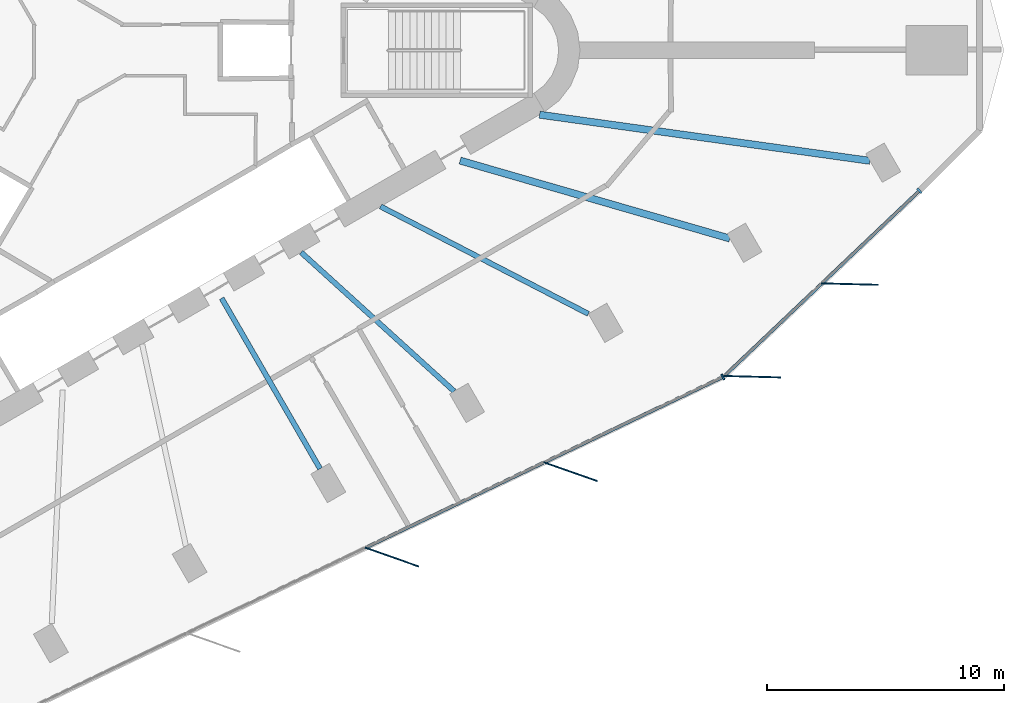
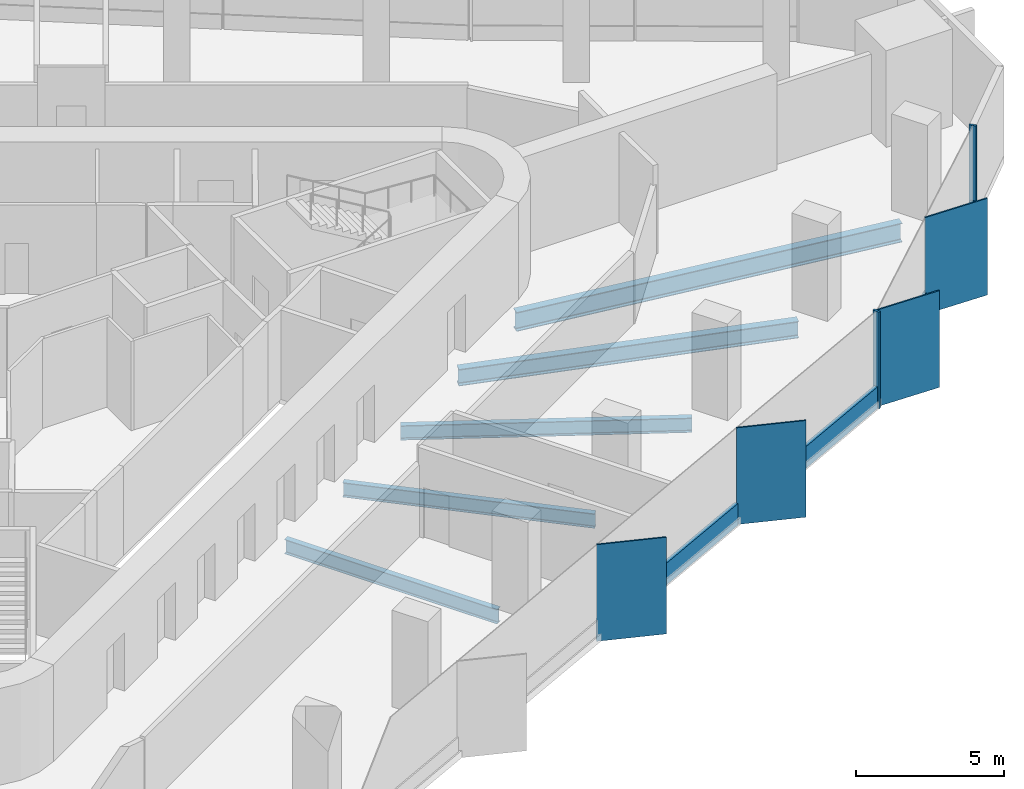
# One storey, part 3 of 13: 10 members, 5 beams, 2 elements without a shape of their own.
"""IFC4 building model written with IfcOpenShell, lengths in metres."""

from ifc_helpers import new_model, si_unit, direction, frame, origin, origin_2d, place, context, subcontext, project, spatial, rectangle, i_section, extrude, material, material_profile, profile_set, type_object, element, aggregate, save


model = new_model("IFC4")

# Units and contexts
model_context = context("Model", 3, precision=1e-05, world=origin(), true_north=direction((0.0, 1.0)))
body_context = subcontext(model_context, "Body", "Model", "MODEL_VIEW")
ifc_project = project(units=[si_unit("LENGTHUNIT", "METRE"), si_unit("AREAUNIT", "SQUARE_METRE"), si_unit("VOLUMEUNIT", "CUBIC_METRE"), si_unit("PLANEANGLEUNIT", "RADIAN"), si_unit("MASSUNIT", "GRAM", prefix="KILO")], contexts=[model_context])

# Site, building, storey
site_placement = place(None, origin())
site = spatial("IfcSite", under=ifc_project, at=site_placement, CompositionType="ELEMENT")
building_placement = place(site_placement, origin())
building = spatial("IfcBuilding", under=site, at=building_placement, Name="Tanit Gate Tower", CompositionType="ELEMENT")
storey_placement = place(building_placement, frame((0.0, 0.0, 269.199951171875)))
storey = spatial("IfcBuildingStorey", under=building, at=storey_placement, Name="L61", CompositionType="ELEMENT", Elevation=269.199951171875)

# Curtain wall, members
ifc_material_1 = material(Name="Aluminium bronze anodised and glass", Category="aluminium")
curtain_wall_type = type_object("IfcCurtainWallType", Name="Curtain wall typical mid", PredefinedType="NOTDEFINED", material=ifc_material_1)
curtain_wall_1_placement = place(storey_placement, origin())
curtain_wall_1 = element("IfcCurtainWall", 1, at=curtain_wall_1_placement, inside=storey, type_object=curtain_wall_type, Name="Curtain wall L61 SE2", PredefinedType="NOTDEFINED")
ifc_material_2 = material(Name="Aluminium bronze anodised", Category="aluminium")
ifc_material_profile_1 = material_profile(ifc_material_2, rectangle(XDim=2.39990234375, YDim=0.055908203125, at=origin_2d()), Name="56x2400 bronze fin mullion")
ifc_profile_set_1 = profile_set([ifc_material_profile_1], Name="Aluminium bronze anodised")
member_type_1 = type_object("IfcMemberType", Name="FIN MULLION 56x2400 bronze", PredefinedType="MULLION", material=ifc_profile_set_1)
member_1_placement = place(storey_placement, frame((13.24755859375, -21.417236328125, -0.300048828125), z_axis=(0.0, 0.0, 1.0), x_axis=(-0.94289500242, 0.333090099539, 0.0)))
member_1 = element("IfcMember", 2, at=member_1_placement, type_object=member_type_1, Name="Fin mullion L61 SE2.3", PredefinedType="MULLION", context=body_context, shape_type="SweptSolid", body=[
    extrude(rectangle(XDim=2.39990234375, YDim=0.055908203125, at=origin_2d()), origin(), (0.0, 0.0, 1.0), 4.0),
])
member_2_placement = place(storey_placement, frame((20.796630859375, -17.8095703125, -0.300048828125), z_axis=(0.0, 0.0, 1.0), x_axis=(-0.94289500242, 0.333090099539, 0.0)))
member_2 = element("IfcMember", 3, at=member_2_placement, type_object=member_type_1, Name="Fin mullion L61 SE2.4", PredefinedType="MULLION", context=body_context, shape_type="SweptSolid", body=[
    extrude(rectangle(XDim=2.39990234375, YDim=0.055908203125, at=origin_2d()), origin(), (0.0, 0.0, 1.0), 4.0),
])

curtain_wall_2_placement = place(storey_placement, origin())
curtain_wall_2 = element("IfcCurtainWall", 4, at=curtain_wall_2_placement, inside=storey, type_object=curtain_wall_type, Name="Curtain wall L61 SE3", PredefinedType="NOTDEFINED")
member_3_placement = place(storey_placement, frame((28.4775390625, -13.795166015625, -0.300048828125), z_axis=(0.0, 0.0, 1.0), x_axis=(-0.999659926403, 0.026077414423, 0.0)))
member_3 = element("IfcMember", 5, at=member_3_placement, type_object=member_type_1, Name="Fin mullion L61 SE3.1", PredefinedType="MULLION", context=body_context, shape_type="SweptSolid", body=[
    extrude(rectangle(XDim=2.39990234375, YDim=0.055908203125, at=origin_2d()), origin(), (0.0, 0.0, 1.0), 4.0),
])
member_4_placement = place(storey_placement, frame((32.60107421875, -9.88134765625, -0.300048828125), z_axis=(0.0, 0.0, 1.0), x_axis=(-0.999659926403, 0.026077414423, 0.0)))
member_4 = element("IfcMember", 6, at=member_4_placement, type_object=member_type_1, Name="Fin mullion L61 SE3.2", PredefinedType="MULLION", context=body_context, shape_type="SweptSolid", body=[
    extrude(rectangle(XDim=2.39990234375, YDim=0.055908203125, at=origin_2d()), origin(), (0.0, 0.0, 1.0), 4.0),
])

# Member
ifc_material_3 = material(Name="Aluminium bronze anodised", Category="aluminium")
ifc_material_profile_2 = material_profile(ifc_material_3, rectangle(XDim=0.260009765625, YDim=0.080078125, at=origin_2d()), Name="80x260 bronze mullion")
ifc_profile_set_2 = profile_set([ifc_material_profile_2], Name="Aluminium bronze anodised")
member_type_2 = type_object("IfcMemberType", Name="Mullion 80x260 typical mid", PredefinedType="MULLION", material=ifc_profile_set_2)
member_5_placement = place(storey_placement, frame((27.234130859375, -13.80908203125, -0.300048828125), z_axis=(0.0, 0.0, 1.0), x_axis=(-0.431197182029, 0.902257718288, 0.0)))
member_5 = element("IfcMember", 7, at=member_5_placement, type_object=member_type_2, Name="Mullion L61 SE2.5", PredefinedType="MULLION", context=body_context, shape_type="SweptSolid", body=[
    extrude(rectangle(XDim=0.260009765625, YDim=0.080078125, at=origin_2d()), origin(), (0.0, 0.0, 1.0), 4.0),
])

member_6_placement = place(storey_placement, frame((35.546142578125, -5.936767578125, -0.300048828125), z_axis=(0.0, 0.0, 1.0), x_axis=(-0.688426796266, 0.725305829415, 0.0)))
member_6 = element("IfcMember", 8, at=member_6_placement, type_object=member_type_2, Name="Mullion L61 SE3.3", PredefinedType="MULLION", context=body_context, shape_type="SweptSolid", body=[
    extrude(rectangle(XDim=0.260009765625, YDim=0.080078125, at=origin_2d()), origin(), (0.0, 0.0, 1.0), 4.0),
])

# Beams
ifc_material_4 = material(Name="Steel S355", Category="steel")
ifc_material_profile_3 = material_profile(ifc_material_4, i_section(OverallWidth=0.300048828125, OverallDepth=0.68994140625, WebThickness=0.014404296875, FlangeThickness=0.027099609375, FilletRadius=0.027099609375, at=origin_2d()), Name="HEA 700")
ifc_profile_set_3 = profile_set([ifc_material_profile_3], Name="Steel S355")
beam_type_1 = type_object("IfcBeamType", Name="RADIAL GIRDER HEA 700 S355", PredefinedType="BEAM", material=ifc_profile_set_3)
beam_1_placement = place(storey_placement, frame((27.528564453125, -7.955078125, -0.64501953125), z_axis=(-0.960692598628, 0.277614356511, 0.0), x_axis=(-0.277614356511, -0.960692598628, 0.0)))
element("IfcBeam", 9, at=beam_1_placement, inside=storey, type_object=beam_type_1, Name="RADIAL GIRDER", PredefinedType="BEAM", context=body_context, shape_type="SweptSolid", body=[
    extrude(i_section(OverallWidth=0.300048828125, OverallDepth=0.68994140625, WebThickness=0.014404296875, FlangeThickness=0.027099609375, FilletRadius=0.027099609375, at=origin_2d()), origin(), (0.0, 0.0, 1.0), 11.8642578125),
])
ifc_material_5 = material(Name="Steel S355", Category="steel")
ifc_material_profile_4 = material_profile(ifc_material_5, i_section(OverallWidth=0.300048828125, OverallDepth=0.7900390625, WebThickness=0.014892578125, FlangeThickness=0.028076171875, FilletRadius=0.030029296875, at=origin_2d()), Name="HEA 800")
ifc_profile_set_4 = profile_set([ifc_material_profile_4], Name="Steel S355")
beam_type_2 = type_object("IfcBeamType", Name="RADIAL GIRDER HEA 800 S355", PredefinedType="BEAM", material=ifc_profile_set_4)
beam_2_placement = place(storey_placement, frame((33.450927734375, -4.6708984375, -0.695068359375), z_axis=(-0.990390390759, 0.138299941769, 0.0), x_axis=(-0.138299941769, -0.990390390759, 0.0)))
element("IfcBeam", 10, at=beam_2_placement, inside=storey, type_object=beam_type_2, Name="RADIAL GIRDER", PredefinedType="BEAM", context=body_context, shape_type="SweptSolid", body=[
    extrude(i_section(OverallWidth=0.300048828125, OverallDepth=0.7900390625, WebThickness=0.014892578125, FlangeThickness=0.028076171875, FilletRadius=0.030029296875, at=origin_2d()), origin(), (0.0, 0.0, 1.0), 14.095947265625),
])
ifc_material_6 = material(Name="Steel S355", Category="steel")
ifc_material_profile_5 = material_profile(ifc_material_6, i_section(OverallWidth=0.219970703125, OverallDepth=0.60009765625, WebThickness=0.011962890625, FlangeThickness=0.01904296875, FilletRadius=0.02392578125, at=origin_2d()), Name="IPE 600")
ifc_profile_set_5 = profile_set([ifc_material_profile_5], Name="Steel S355")
beam_type_3 = type_object("IfcBeamType", Name="RADIAL GIRDER IPE 600 S355", PredefinedType="BEAM", material=ifc_profile_set_5)
beam_3_placement = place(storey_placement, frame((10.210693359375, -17.685546875, -0.599853515625), z_axis=(-0.499995954789, 0.866027739276, 0.0), x_axis=(-0.866027739276, -0.499995954789, 0.0)))
element("IfcBeam", 11, at=beam_3_placement, inside=storey, type_object=beam_type_3, Name="RADIAL GIRDER", PredefinedType="BEAM", context=body_context, shape_type="SweptSolid", body=[
    extrude(i_section(OverallWidth=0.219970703125, OverallDepth=0.60009765625, WebThickness=0.011962890625, FlangeThickness=0.01904296875, FilletRadius=0.02392578125, at=origin_2d()), origin(), (0.0, 0.0, 1.0), 8.3193359375),
])
beam_4_placement = place(storey_placement, frame((15.88037109375, -14.412109375, -0.599853515625), z_axis=(-0.740510084362, 0.672045247701, 0.0), x_axis=(-0.672045247701, -0.740510084362, 0.0)))
element("IfcBeam", 12, at=beam_4_placement, inside=storey, type_object=beam_type_3, Name="RADIAL GIRDER", PredefinedType="BEAM", context=body_context, shape_type="SweptSolid", body=[
    extrude(i_section(OverallWidth=0.219970703125, OverallDepth=0.60009765625, WebThickness=0.011962890625, FlangeThickness=0.01904296875, FilletRadius=0.02392578125, at=origin_2d()), origin(), (0.0, 0.0, 1.0), 8.736572265625),
])
beam_5_placement = place(storey_placement, frame((21.5498046875, -11.138916015625, -0.599853515625), z_axis=(-0.888343449029, 0.459179612534, 0.0), x_axis=(-0.459179612534, -0.888343449029, 0.0)))
element("IfcBeam", 13, at=beam_5_placement, inside=storey, type_object=beam_type_3, Name="RADIAL GIRDER", PredefinedType="BEAM", context=body_context, shape_type="SweptSolid", body=[
    extrude(i_section(OverallWidth=0.219970703125, OverallDepth=0.60009765625, WebThickness=0.011962890625, FlangeThickness=0.01904296875, FilletRadius=0.02392578125, at=origin_2d()), origin(), (0.0, 0.0, 1.0), 9.882568359375),
])

# Member
ifc_material_7 = material(Name="Aluminium bronze anodised", Category="aluminium")
ifc_material_profile_6 = material_profile(ifc_material_7, rectangle(XDim=0.139892578125, YDim=0.89990234375, at=origin_2d()), Name="140x900 bronze transom")
ifc_profile_set_6 = profile_set([ifc_material_profile_6], Name="Aluminium bronze anodised")
member_type_3 = type_object("IfcMemberType", Name="Transom 140x900 typical mid", PredefinedType="USERDEFINED", material=ifc_profile_set_6)
member_7_placement = place(storey_placement, frame((12.172119140625, -21.00732421875, 0.150146484375), z_axis=(0.902257333807, 0.431197986534, 0.0), x_axis=(-0.431197986534, 0.902257333807, 0.0)))
member_7 = element("IfcMember", 14, at=member_7_placement, type_object=member_type_3, Name="Transom L61 SE2.3", ObjectType="TRANSOM", PredefinedType="USERDEFINED", context=body_context, shape_type="SweptSolid", body=[
    extrude(rectangle(XDim=0.139892578125, YDim=0.89990234375, at=origin_2d()), origin(), (0.0, 0.0, 1.0), 8.286865234375),
])

member_8_placement = place(storey_placement, frame((19.72119140625, -17.399658203125, 0.150146484375), z_axis=(0.902257333807, 0.431197986534, 0.0), x_axis=(-0.431197986534, 0.902257333807, 0.0)))
member_8 = element("IfcMember", 15, at=member_8_placement, type_object=member_type_3, Name="Transom L61 SE2.4", ObjectType="TRANSOM", PredefinedType="USERDEFINED", context=body_context, shape_type="SweptSolid", body=[
    extrude(rectangle(XDim=0.139892578125, YDim=0.89990234375, at=origin_2d()), origin(), (0.0, 0.0, 1.0), 8.286865234375),
])

aggregate(curtain_wall_1, [member_1, member_2, member_5, member_7, member_8])

member_9_placement = place(storey_placement, frame((27.328125, -13.73681640625, 0.150146484375), z_axis=(0.725312557534, 0.688419707652, 0.0), x_axis=(-0.688419707652, 0.725312557534, 0.0)))
member_9 = element("IfcMember", 16, at=member_9_placement, type_object=member_type_3, Name="Transom L61 SE3.1", ObjectType="TRANSOM", PredefinedType="USERDEFINED", context=body_context, shape_type="SweptSolid", body=[
    extrude(rectangle(XDim=0.139892578125, YDim=0.89990234375, at=origin_2d()), origin(), (0.0, 0.0, 1.0), 5.60498046875),
])

member_10_placement = place(storey_placement, frame((31.45166015625, -9.822998046875, 0.150146484375), z_axis=(0.725312557534, 0.688419707652, 0.0), x_axis=(-0.688419707652, 0.725312557534, 0.0)))
member_10 = element("IfcMember", 17, at=member_10_placement, type_object=member_type_3, Name="Transom L61 SE3.2", ObjectType="TRANSOM", PredefinedType="USERDEFINED", context=body_context, shape_type="SweptSolid", body=[
    extrude(rectangle(XDim=0.139892578125, YDim=0.89990234375, at=origin_2d()), origin(), (0.0, 0.0, 1.0), 5.60498046875),
])

aggregate(curtain_wall_2, [member_3, member_4, member_6, member_9, member_10])

save(model, "model.ifc")
